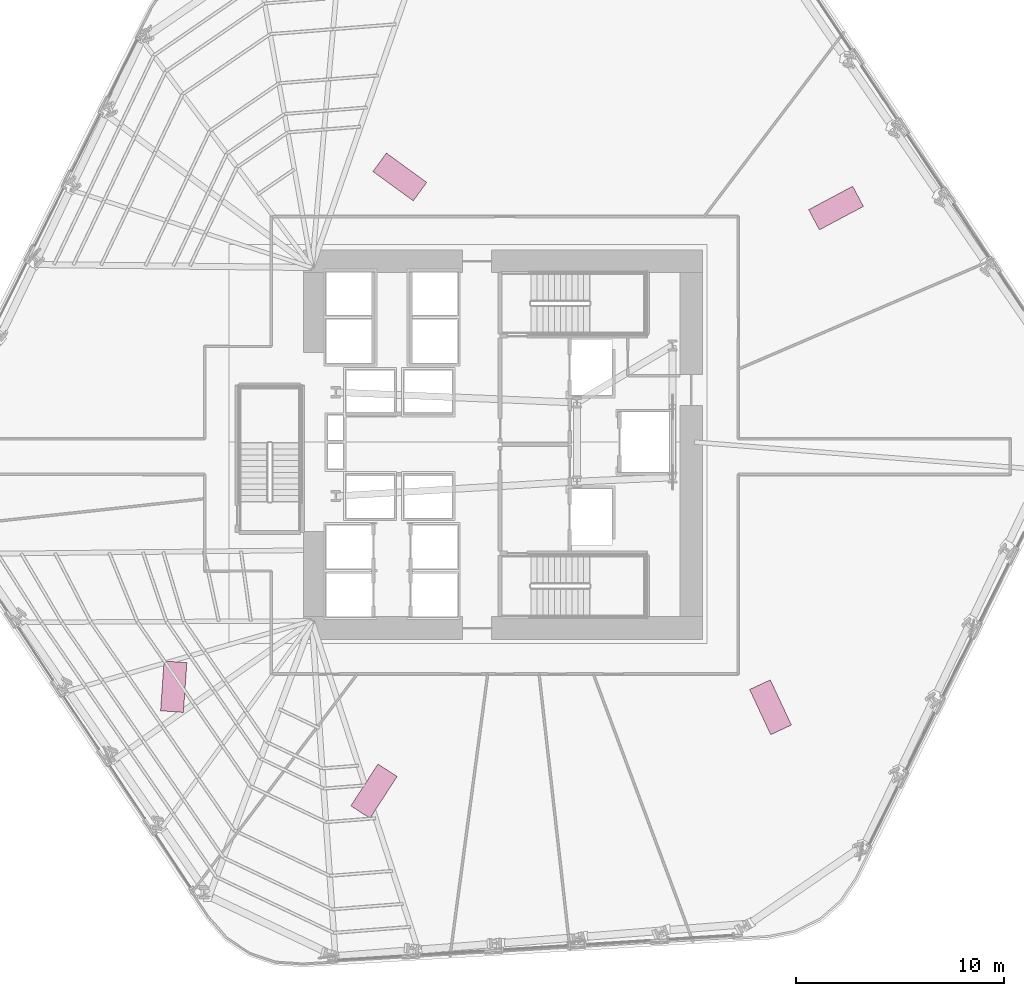
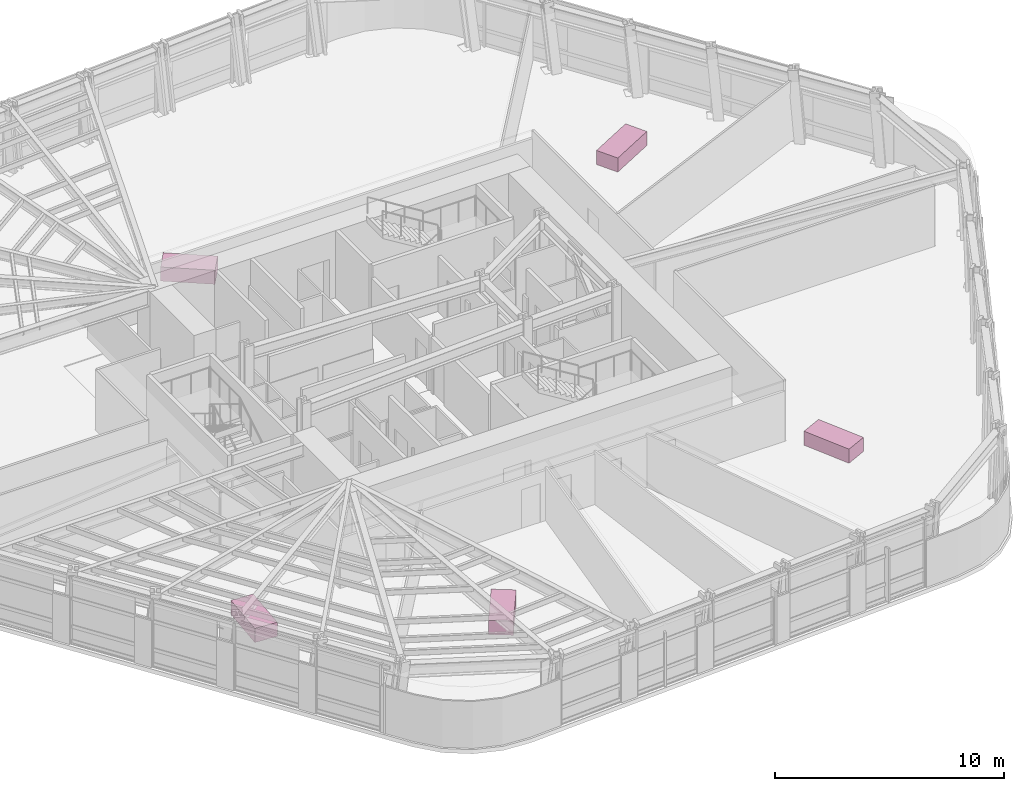
# One storey, part 15 of 15: 5 furniture elements.
"""IFC4 building model written with IfcOpenShell, lengths in metres."""

from ifc_helpers import new_model, si_unit, direction, frame, origin, origin_2d, place, context, subcontext, project, spatial, rectangle, extrude, material, type_object, element, save


model = new_model("IFC4")

# Units and contexts
model_context = context("Model", 3, precision=1e-05, world=origin(), true_north=direction((0.0, 1.0)))
body_context = subcontext(model_context, "Body", "Model", "MODEL_VIEW")
ifc_project = project(units=[si_unit("LENGTHUNIT", "METRE"), si_unit("AREAUNIT", "SQUARE_METRE"), si_unit("VOLUMEUNIT", "CUBIC_METRE"), si_unit("PLANEANGLEUNIT", "RADIAN"), si_unit("MASSUNIT", "GRAM", prefix="KILO")], contexts=[model_context])

# Site, building, storey
site_placement = place(None, origin())
site = spatial("IfcSite", under=ifc_project, at=site_placement, CompositionType="ELEMENT")
building_placement = place(site_placement, origin())
building = spatial("IfcBuilding", under=site, at=building_placement, Name="Valkerne Bourse Tower", CompositionType="ELEMENT")
storey_placement = place(building_placement, frame((0.0, 0.0, 39.199951171875)))
storey = spatial("IfcBuildingStorey", under=building, at=storey_placement, Name="L09", CompositionType="ELEMENT", Elevation=39.199951171875)

# Furniture
ifc_material = material(Name="Architectural White Oak Timber", Category="wood")
furniture_type = type_object("IfcFurnitureType", Name="FURN-DESK-2400", AssemblyPlace="NOTDEFINED", PredefinedType="DESK", material=ifc_material)
for number, where, z_axis, x_axis, name in (
    (1, (62.81591796875, 38.260986328125, 0.045166015625), (0.0, 0.0, 1.0), (0.882947592859, 0.469471562786, 0.0), "L09 Suite Worktable 05"),
    (2, (40.5849609375, 10.2060546875, 0.045166015625), (0.0, 0.0, 1.0), (0.544639035015, 0.838670567945, 0.0), "L09 Suite Worktable 06"),
    (3, (30.949951171875, 15.23095703125, 0.045166015625), (0.0, 0.0, 1.0), (0.069756473744, 0.99756405026, 0.0), "L09 Suite Worktable 07"),
    (4, (59.662109375, 14.242919921875, 0.045166015625), (0.0, 0.0, 1.0), (-0.422618261741, 0.906307787037, 0.0), "L09 Suite Worktable 08"),
    (5, (41.8291015625, 39.757080078125, 0.045166015625), (0.0, 0.0, 1.0), (-0.809016994375, 0.587785252292, 0.0), "L09 Suite Worktable 09"),
):
    element("IfcFurniture", number, at=place(storey_placement, frame(where, z_axis=z_axis, x_axis=x_axis)), inside=storey, type_object=furniture_type, Name=name, PredefinedType="DESK", context=body_context, shape_type="SweptSolid", body=[
        extrude(rectangle(XDim=2.39990234375, YDim=1.10009765625, at=origin_2d()), origin(), (0.0, 0.0, 1.0), 0.75),
    ])

save(model, "model.ifc")
